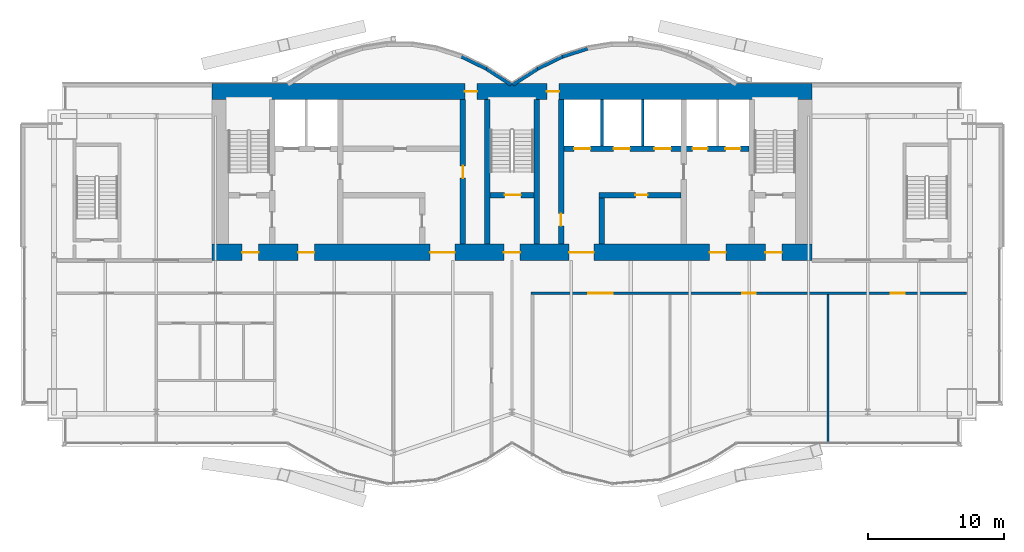
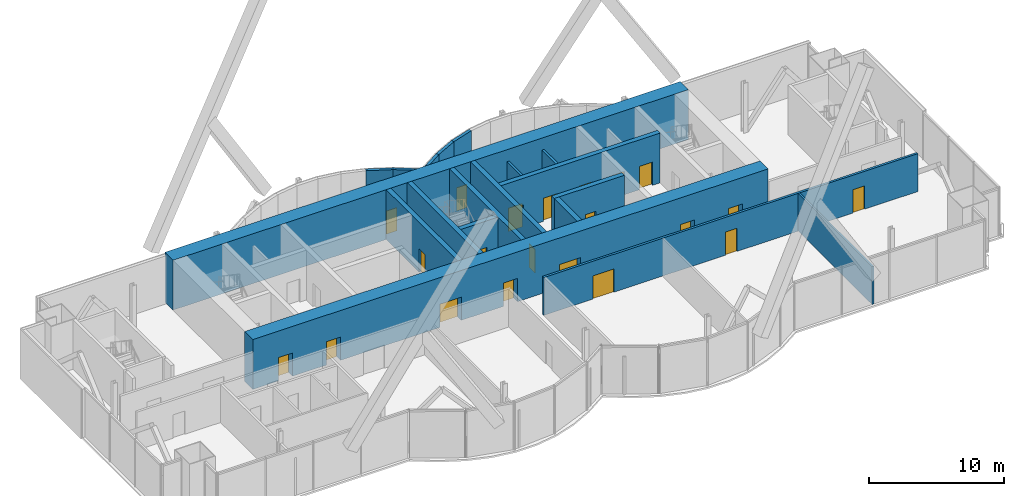
# One storey, part 15 of 20: 21 doors, 19 walls, 21 openings.
"""IFC4 building model written with IfcOpenShell, lengths in metres."""

from ifc_helpers import new_model, si_unit, direction, frame, frame_2d, origin, place, context, subcontext, project, spatial, rectangle, extrude, material, layer, layer_set, layer_usage, type_object, element, fill, save


model = new_model("IFC4")

# Units and contexts
model_context = context("Model", 3, precision=1e-05, world=origin(), true_north=direction((0.0, 1.0)))
body_context = subcontext(model_context, "Body", "Model", "MODEL_VIEW")
ifc_project = project(units=[si_unit("LENGTHUNIT", "METRE"), si_unit("AREAUNIT", "SQUARE_METRE"), si_unit("VOLUMEUNIT", "CUBIC_METRE"), si_unit("PLANEANGLEUNIT", "RADIAN"), si_unit("MASSUNIT", "GRAM", prefix="KILO")], contexts=[model_context])

# Site, building, storey
site_placement = place(None, origin())
site = spatial("IfcSite", under=ifc_project, at=site_placement, CompositionType="ELEMENT")
building_placement = place(site_placement, origin())
building = spatial("IfcBuilding", under=site, at=building_placement, Name="Bicima Exchange Tower", CompositionType="ELEMENT")
storey_placement = place(building_placement, frame((0.0, 0.0, 306.5)))
storey = spatial("IfcBuildingStorey", under=building, at=storey_placement, Name="L69", CompositionType="ELEMENT", Elevation=306.5)

# Walls
ifc_material_1 = material(Name="Gypsum board partition")
ifc_layer_1 = layer(ifc_material_1, 0.199951171875)
ifc_layer_set_1 = layer_set([ifc_layer_1], Name="Gypsum board partition")
wall_type_1 = type_object("IfcWallType", Name="Fire-rated gypsum partition 200 EI120", PredefinedType="PARTITIONING", material=ifc_layer_set_1)
for number, where, z_axis, x_axis, name in (
    (1, (6.60009765625, -4.60009765625, 0.0), (0.0, 0.0, 1.0), (0.0, 1.0, 0.0), "partition wall 17"),
    (2, (9.60009765625, -4.60009765625, 0.0), (0.0, 0.0, 1.0), (0.0, 1.0, 0.0), "partition wall 18"),
):
    element("IfcWall", number, at=place(storey_placement, frame(where, z_axis=z_axis, x_axis=x_axis)), inside=storey, type_object=wall_type_1, Name=name, PredefinedType="PARTITIONING", context=body_context, shape_type="SweptSolid", body=[
        extrude(rectangle(XDim=3.400146484375, YDim=0.199951171875, at=frame_2d((1.7001953125, 0.0))), origin(), (0.0, 0.0, 1.0), 3.418212890625),
    ])

# Wall, openings, doors
ifc_layer_2 = layer(ifc_material_1, 0.199951171875)
ifc_layer_set_2 = layer_set([ifc_layer_2], Name="Gypsum board partition")
wall_type_2 = type_object("IfcWallType", Name="Fire-rated gypsum partition 200 EI60", PredefinedType="PARTITIONING", material=ifc_layer_set_2)
wall_1_placement = place(storey_placement, frame((1.39990234375, -15.39990234375, 0.0), z_axis=(0.0, 0.0, 1.0), x_axis=(1.0, 0.0, 0.0)))
wall_1 = element("IfcWall", 3, at=wall_1_placement, inside=storey, type_object=wall_type_2, Name="partition wall 4", PredefinedType="PARTITIONING", context=body_context, shape_type="SweptSolid", body=[
    extrude(rectangle(XDim=31.940185546875, YDim=0.199951171875, at=frame_2d((15.97021484375, 0.0))), origin(), (0.0, 0.0, 1.0), 3.418212890625),
])
opening_1_placement = place(wall_1_placement, frame((4.199951171875, 0.0, 0.0)))
opening_1 = element("IfcOpeningElement", 4, at=opening_1_placement, cuts=wall_1, Name="Opening L69-014", PredefinedType="OPENING", context=body_context, shape_type="SweptSolid", body=[
    extrude(rectangle(XDim=1.800048828125, YDim=2.10009765625, at=frame_2d((0.89990234375, 1.050048828125))), frame((0.0, 0.11181640625, 0.0), z_axis=(0.0, -1.0, 0.0), x_axis=(1.0, 0.0, 0.0)), (0.0, 0.0, 1.0), 0.223876953125),
])
opening_2_placement = place(wall_1_placement, frame((15.5, 0.0, 0.0)))
opening_2 = element("IfcOpeningElement", 5, at=opening_2_placement, cuts=wall_1, Name="Opening L69-015", PredefinedType="OPENING", context=body_context, shape_type="SweptSolid", body=[
    extrude(rectangle(XDim=1.0, YDim=2.10009765625, at=frame_2d((0.5, 1.050048828125))), frame((0.0, 0.11181640625, 0.0), z_axis=(0.0, -1.0, 0.0), x_axis=(1.0, 0.0, 0.0)), (0.0, 0.0, 1.0), 0.223876953125),
])
opening_3_placement = place(wall_1_placement, frame((26.39990234375, 0.0, 0.0)))
opening_3 = element("IfcOpeningElement", 6, at=opening_3_placement, cuts=wall_1, Name="Opening L69-016", PredefinedType="OPENING", context=body_context, shape_type="SweptSolid", body=[
    extrude(rectangle(XDim=1.0, YDim=2.10009765625, at=frame_2d((0.5, 1.050048828125))), frame((0.0, 0.11181640625, 0.0), z_axis=(0.0, -1.0, 0.0), x_axis=(1.0, 0.0, 0.0)), (0.0, 0.0, 1.0), 0.223876953125),
])
ifc_material_2 = material(Name="Steel fire door leaf", Category="steel")
door_type_1 = type_object("IfcDoorType", Name="Door 1000 swing FD30S", OperationType="SINGLE_SWING_LEFT", PredefinedType="DOOR", material=ifc_material_2)
door_1_placement = place(opening_2_placement, frame((1.0, 0.0, 0.0), z_axis=(0.0, 0.0, 1.0), x_axis=(-1.0, 0.0, 0.0)))
door_1 = element("IfcDoor", 7, at=door_1_placement, inside=storey, type_object=door_type_1, Name="Door", OperationType="SINGLE_SWING_RIGHT", OverallHeight=2.10009765625, OverallWidth=1.0, PredefinedType="DOOR", context=body_context, shape_type="SweptSolid", body=[
    extrude(rectangle(XDim=1.0, YDim=2.10009765625, at=frame_2d((0.5, 1.050048828125))), frame((0.0, 0.02490234375, 0.0), z_axis=(0.0, -1.0, 0.0), x_axis=(1.0, 0.0, 0.0)), (0.0, 0.0, 1.0), 0.050048828125),
])
fill(opening_2, door_1)
door_2_placement = place(opening_3_placement, frame((1.0, 0.0, 0.0), z_axis=(0.0, 0.0, 1.0), x_axis=(-1.0, 0.0, 0.0)))
door_2 = element("IfcDoor", 8, at=door_2_placement, inside=storey, type_object=door_type_1, Name="Door", OperationType="SINGLE_SWING_LEFT", OverallHeight=2.10009765625, OverallWidth=1.0, PredefinedType="DOOR", context=body_context, shape_type="SweptSolid", body=[
    extrude(rectangle(XDim=1.0, YDim=2.10009765625, at=frame_2d((0.5, 1.050048828125))), frame((0.0, 0.02490234375, 0.0), z_axis=(0.0, -1.0, 0.0), x_axis=(1.0, 0.0, 0.0)), (0.0, 0.0, 1.0), 0.050048828125),
])
fill(opening_3, door_2)
door_type_2 = type_object("IfcDoorType", Name="Door 1800 double swing FD30S", OperationType="DOUBLE_DOOR_SINGLE_SWING", PredefinedType="DOOR", material=ifc_material_2)
door_3_placement = place(opening_1_placement, origin())
door_3 = element("IfcDoor", 9, at=door_3_placement, inside=storey, type_object=door_type_2, Name="Door", OperationType="SINGLE_SWING_LEFT", OverallHeight=2.10009765625, OverallWidth=1.800048828125, PredefinedType="DOOR", context=body_context, shape_type="SweptSolid", body=[
    extrude(rectangle(XDim=1.800048828125, YDim=2.10009765625, at=frame_2d((0.89990234375, 1.050048828125))), frame((0.0, 0.02490234375, 0.0), z_axis=(0.0, -1.0, 0.0), x_axis=(1.0, 0.0, 0.0)), (0.0, 0.0, 1.0), 0.050048828125),
])
fill(opening_1, door_3)

# Wall
ifc_layer_3 = layer(ifc_material_1, 0.14990234375)
ifc_layer_set_3 = layer_set([ifc_layer_3], Name="Gypsum board partition")
wall_type_3 = type_object("IfcWallType", Name="Gypsum partition 150", PredefinedType="PARTITIONING", material=ifc_layer_set_3)
wall_2_placement = place(storey_placement, frame((23.199951171875, -26.419921875, 0.0), z_axis=(0.0, 0.0, 1.0), x_axis=(0.0, 1.0, 0.0)))
element("IfcWall", 10, at=wall_2_placement, inside=storey, type_object=wall_type_3, Name="partition wall 23", PredefinedType="PARTITIONING", context=body_context, shape_type="SweptSolid", body=[
    extrude(rectangle(XDim=10.919921875, YDim=0.14990234375, at=frame_2d((5.4599609375, 0.0))), origin(), (0.0, 0.0, 1.0), 3.418212890625),
])

# Wall, openings, doors
ifc_material_3 = material(Name="Concrete C40/50", Category="concrete")
ifc_layer_4 = layer(ifc_material_3, 1.199951171875)
ifc_layer_set_4 = layer_set([ifc_layer_4], Name="Concrete C40/50")
wall_type_4 = type_object("IfcWallType", Name="RC core wall 1200 C40/50", PredefinedType="SHEAR", material=ifc_layer_set_4)
wall_3_placement = place(storey_placement, frame((-22.0, -0.60009765625, 0.0), z_axis=(0.0, 0.0, 1.0), x_axis=(1.0, 0.0, 0.0)))
wall_3 = element("IfcWall", 11, at=wall_3_placement, inside=storey, type_object=wall_type_4, Name="Core wall north", PredefinedType="SHEAR", context=body_context, shape_type="SweptSolid", body=[
    extrude(rectangle(XDim=44.0, YDim=1.199951171875, at=frame_2d((22.0, 0.0))), origin(), (0.0, 0.0, 1.0), 4.5),
])
opening_4_placement = place(wall_3_placement, frame((18.550048828125, 0.0, 0.0)))
opening_4 = element("IfcOpeningElement", 12, at=opening_4_placement, cuts=wall_3, Name="Opening L69-C15", PredefinedType="OPENING", context=body_context, shape_type="SweptSolid", body=[
    extrude(rectangle(XDim=0.89990234375, YDim=2.10009765625, at=frame_2d((0.449951171875, 1.050048828125))), frame((0.0, 0.61181640625, 0.0), z_axis=(0.0, -1.0, 0.0), x_axis=(1.0, 0.0, 0.0)), (0.0, 0.0, 1.0), 1.223876953125),
])
opening_5_placement = place(wall_3_placement, frame((24.550048828125, 0.0, 0.0)))
opening_5 = element("IfcOpeningElement", 13, at=opening_5_placement, cuts=wall_3, Name="Opening L69-C16", PredefinedType="OPENING", context=body_context, shape_type="SweptSolid", body=[
    extrude(rectangle(XDim=0.89990234375, YDim=2.10009765625, at=frame_2d((0.449951171875, 1.050048828125))), frame((0.0, 0.61181640625, 0.0), z_axis=(0.0, -1.0, 0.0), x_axis=(1.0, 0.0, 0.0)), (0.0, 0.0, 1.0), 1.223876953125),
])
door_type_3 = type_object("IfcDoorType", Name="Door 900 swing FD30S", OperationType="SINGLE_SWING_LEFT", PredefinedType="DOOR", material=ifc_material_2)
door_4_placement = place(opening_4_placement, origin())
door_4 = element("IfcDoor", 14, at=door_4_placement, inside=storey, type_object=door_type_3, Name="Core door", OperationType="SINGLE_SWING_LEFT", OverallHeight=2.10009765625, OverallWidth=0.89990234375, PredefinedType="DOOR", context=body_context, shape_type="SweptSolid", body=[
    extrude(rectangle(XDim=0.89990234375, YDim=2.10009765625, at=frame_2d((0.449951171875, 1.050048828125))), frame((0.0, 0.02490234375, 0.0), z_axis=(0.0, -1.0, 0.0), x_axis=(1.0, 0.0, 0.0)), (0.0, 0.0, 1.0), 0.050048828125),
])
fill(opening_4, door_4)
door_5_placement = place(opening_5_placement, origin())
door_5 = element("IfcDoor", 15, at=door_5_placement, inside=storey, type_object=door_type_3, Name="Core door", OperationType="SINGLE_SWING_LEFT", OverallHeight=2.10009765625, OverallWidth=0.89990234375, PredefinedType="DOOR", context=body_context, shape_type="SweptSolid", body=[
    extrude(rectangle(XDim=0.89990234375, YDim=2.10009765625, at=frame_2d((0.449951171875, 1.050048828125))), frame((0.0, 0.02490234375, 0.0), z_axis=(0.0, -1.0, 0.0), x_axis=(1.0, 0.0, 0.0)), (0.0, 0.0, 1.0), 0.050048828125),
])
fill(opening_5, door_5)

wall_4_placement = place(storey_placement, frame((-22.0, -12.39990234375, 0.0), z_axis=(0.0, 0.0, 1.0), x_axis=(1.0, 0.0, 0.0)))
wall_4 = element("IfcWall", 16, at=wall_4_placement, inside=storey, type_object=wall_type_4, Name="Core wall south", PredefinedType="SHEAR", context=body_context, shape_type="SweptSolid", body=[
    extrude(rectangle(XDim=44.0, YDim=1.199951171875, at=frame_2d((22.0, 0.0))), origin(), (0.0, 0.0, 1.0), 4.5),
])
opening_6_placement = place(wall_4_placement, frame((2.199951171875, 0.0, 0.0)))
opening_6 = element("IfcOpeningElement", 17, at=opening_6_placement, cuts=wall_4, Name="Opening L69-C17", PredefinedType="OPENING", context=body_context, shape_type="SweptSolid", body=[
    extrude(rectangle(XDim=1.199951171875, YDim=2.10009765625, at=frame_2d((0.60009765625, 1.050048828125))), frame((0.0, 0.61181640625, 0.0), z_axis=(0.0, -1.0, 0.0), x_axis=(1.0, 0.0, 0.0)), (0.0, 0.0, 1.0), 1.223876953125),
])
opening_7_placement = place(wall_4_placement, frame((21.39990234375, 0.0, 0.0)))
opening_7 = element("IfcOpeningElement", 18, at=opening_7_placement, cuts=wall_4, Name="Opening L69-C18", PredefinedType="OPENING", context=body_context, shape_type="SweptSolid", body=[
    extrude(rectangle(XDim=1.199951171875, YDim=2.10009765625, at=frame_2d((0.60009765625, 1.050048828125))), frame((0.0, 0.61181640625, 0.0), z_axis=(0.0, -1.0, 0.0), x_axis=(1.0, 0.0, 0.0)), (0.0, 0.0, 1.0), 1.223876953125),
])
opening_8_placement = place(wall_4_placement, frame((40.60009765625, 0.0, 0.0)))
opening_8 = element("IfcOpeningElement", 19, at=opening_8_placement, cuts=wall_4, Name="Opening L69-C19", PredefinedType="OPENING", context=body_context, shape_type="SweptSolid", body=[
    extrude(rectangle(XDim=1.199951171875, YDim=2.10009765625, at=frame_2d((0.60009765625, 1.050048828125))), frame((0.0, 0.61181640625, 0.0), z_axis=(0.0, -1.0, 0.0), x_axis=(1.0, 0.0, 0.0)), (0.0, 0.0, 1.0), 1.223876953125),
])
opening_9_placement = place(wall_4_placement, frame((16.0, 0.0, 0.0)))
opening_9 = element("IfcOpeningElement", 20, at=opening_9_placement, cuts=wall_4, Name="Opening L69-C20", PredefinedType="OPENING", context=body_context, shape_type="SweptSolid", body=[
    extrude(rectangle(XDim=1.800048828125, YDim=2.10009765625, at=frame_2d((0.89990234375, 1.050048828125))), frame((0.0, 0.61181640625, 0.0), z_axis=(0.0, -1.0, 0.0), x_axis=(1.0, 0.0, 0.0)), (0.0, 0.0, 1.0), 1.223876953125),
])
opening_10_placement = place(wall_4_placement, frame((6.300048828125, 0.0, 0.0)))
opening_10 = element("IfcOpeningElement", 21, at=opening_10_placement, cuts=wall_4, Name="Opening L69-C21", PredefinedType="OPENING", context=body_context, shape_type="SweptSolid", body=[
    extrude(rectangle(XDim=1.199951171875, YDim=2.10009765625, at=frame_2d((0.60009765625, 1.050048828125))), frame((0.0, 0.61181640625, 0.0), z_axis=(0.0, -1.0, 0.0), x_axis=(1.0, 0.0, 0.0)), (0.0, 0.0, 1.0), 1.223876953125),
])
opening_11_placement = place(wall_4_placement, frame((26.199951171875, 0.0, 0.0)))
opening_11 = element("IfcOpeningElement", 22, at=opening_11_placement, cuts=wall_4, Name="Opening L69-C22", PredefinedType="OPENING", context=body_context, shape_type="SweptSolid", body=[
    extrude(rectangle(XDim=1.800048828125, YDim=2.10009765625, at=frame_2d((0.89990234375, 1.050048828125))), frame((0.0, 0.61181640625, 0.0), z_axis=(0.0, -1.0, 0.0), x_axis=(1.0, 0.0, 0.0)), (0.0, 0.0, 1.0), 1.223876953125),
])
opening_12_placement = place(wall_4_placement, frame((36.5, 0.0, 0.0)))
opening_12 = element("IfcOpeningElement", 23, at=opening_12_placement, cuts=wall_4, Name="Opening L69-C23", PredefinedType="OPENING", context=body_context, shape_type="SweptSolid", body=[
    extrude(rectangle(XDim=1.199951171875, YDim=2.10009765625, at=frame_2d((0.60009765625, 1.050048828125))), frame((0.0, 0.61181640625, 0.0), z_axis=(0.0, -1.0, 0.0), x_axis=(1.0, 0.0, 0.0)), (0.0, 0.0, 1.0), 1.223876953125),
])
door_type_4 = type_object("IfcDoorType", Name="Door 1200 swing FD60S", OperationType="SINGLE_SWING_LEFT", PredefinedType="DOOR", material=ifc_material_2)
door_6_placement = place(opening_6_placement, frame((1.199951171875, 0.0, 0.0), z_axis=(0.0, 0.0, 1.0), x_axis=(-1.0, 0.0, 0.0)))
door_6 = element("IfcDoor", 24, at=door_6_placement, inside=storey, type_object=door_type_4, Name="Core door", OperationType="SINGLE_SWING_RIGHT", OverallHeight=2.10009765625, OverallWidth=1.199951171875, PredefinedType="DOOR", context=body_context, shape_type="SweptSolid", body=[
    extrude(rectangle(XDim=1.199951171875, YDim=2.10009765625, at=frame_2d((0.60009765625, 1.050048828125))), frame((0.0, 0.02490234375, 0.0), z_axis=(0.0, -1.0, 0.0), x_axis=(1.0, 0.0, 0.0)), (0.0, 0.0, 1.0), 0.050048828125),
])
fill(opening_6, door_6)
door_7_placement = place(opening_7_placement, frame((1.199951171875, 0.0, 0.0), z_axis=(0.0, 0.0, 1.0), x_axis=(-1.0, 0.0, 0.0)))
door_7 = element("IfcDoor", 25, at=door_7_placement, inside=storey, type_object=door_type_4, Name="Core door", OperationType="SINGLE_SWING_RIGHT", OverallHeight=2.10009765625, OverallWidth=1.199951171875, PredefinedType="DOOR", context=body_context, shape_type="SweptSolid", body=[
    extrude(rectangle(XDim=1.199951171875, YDim=2.10009765625, at=frame_2d((0.60009765625, 1.050048828125))), frame((0.0, 0.02490234375, 0.0), z_axis=(0.0, -1.0, 0.0), x_axis=(1.0, 0.0, 0.0)), (0.0, 0.0, 1.0), 0.050048828125),
])
fill(opening_7, door_7)
door_8_placement = place(opening_8_placement, frame((1.199951171875, 0.0, 0.0), z_axis=(0.0, 0.0, 1.0), x_axis=(-1.0, 0.0, 0.0)))
door_8 = element("IfcDoor", 26, at=door_8_placement, inside=storey, type_object=door_type_4, Name="Core door", OperationType="SINGLE_SWING_RIGHT", OverallHeight=2.10009765625, OverallWidth=1.199951171875, PredefinedType="DOOR", context=body_context, shape_type="SweptSolid", body=[
    extrude(rectangle(XDim=1.199951171875, YDim=2.10009765625, at=frame_2d((0.60009765625, 1.050048828125))), frame((0.0, 0.02490234375, 0.0), z_axis=(0.0, -1.0, 0.0), x_axis=(1.0, 0.0, 0.0)), (0.0, 0.0, 1.0), 0.050048828125),
])
fill(opening_8, door_8)
door_9_placement = place(opening_10_placement, frame((1.199951171875, 0.0, 0.0), z_axis=(0.0, 0.0, 1.0), x_axis=(-1.0, 0.0, 0.0)))
door_9 = element("IfcDoor", 27, at=door_9_placement, inside=storey, type_object=door_type_4, Name="Core door", OperationType="SINGLE_SWING_RIGHT", OverallHeight=2.10009765625, OverallWidth=1.199951171875, PredefinedType="DOOR", context=body_context, shape_type="SweptSolid", body=[
    extrude(rectangle(XDim=1.199951171875, YDim=2.10009765625, at=frame_2d((0.60009765625, 1.050048828125))), frame((0.0, 0.02490234375, 0.0), z_axis=(0.0, -1.0, 0.0), x_axis=(1.0, 0.0, 0.0)), (0.0, 0.0, 1.0), 0.050048828125),
])
fill(opening_10, door_9)
door_10_placement = place(opening_12_placement, frame((1.199951171875, 0.0, 0.0), z_axis=(0.0, 0.0, 1.0), x_axis=(-1.0, 0.0, 0.0)))
door_10 = element("IfcDoor", 28, at=door_10_placement, inside=storey, type_object=door_type_4, Name="Core door", OperationType="SINGLE_SWING_RIGHT", OverallHeight=2.10009765625, OverallWidth=1.199951171875, PredefinedType="DOOR", context=body_context, shape_type="SweptSolid", body=[
    extrude(rectangle(XDim=1.199951171875, YDim=2.10009765625, at=frame_2d((0.60009765625, 1.050048828125))), frame((0.0, 0.02490234375, 0.0), z_axis=(0.0, -1.0, 0.0), x_axis=(1.0, 0.0, 0.0)), (0.0, 0.0, 1.0), 0.050048828125),
])
fill(opening_12, door_10)
door_11_placement = place(opening_9_placement, origin())
door_11 = element("IfcDoor", 29, at=door_11_placement, inside=storey, type_object=door_type_2, Name="Core door", OperationType="SINGLE_SWING_LEFT", OverallHeight=2.10009765625, OverallWidth=1.800048828125, PredefinedType="DOOR", context=body_context, shape_type="SweptSolid", body=[
    extrude(rectangle(XDim=1.800048828125, YDim=2.10009765625, at=frame_2d((0.89990234375, 1.050048828125))), frame((0.0, 0.02490234375, 0.0), z_axis=(0.0, -1.0, 0.0), x_axis=(1.0, 0.0, 0.0)), (0.0, 0.0, 1.0), 0.050048828125),
])
fill(opening_9, door_11)
door_12_placement = place(opening_11_placement, origin())
door_12 = element("IfcDoor", 30, at=door_12_placement, inside=storey, type_object=door_type_2, Name="Core door", OperationType="SINGLE_SWING_LEFT", OverallHeight=2.10009765625, OverallWidth=1.800048828125, PredefinedType="DOOR", context=body_context, shape_type="SweptSolid", body=[
    extrude(rectangle(XDim=1.800048828125, YDim=2.10009765625, at=frame_2d((0.89990234375, 1.050048828125))), frame((0.0, 0.02490234375, 0.0), z_axis=(0.0, -1.0, 0.0), x_axis=(1.0, 0.0, 0.0)), (0.0, 0.0, 1.0), 0.050048828125),
])
fill(opening_11, door_12)

# Wall, opening, door
ifc_layer_5 = layer(ifc_material_3, 0.39990234375)
ifc_layer_set_5 = layer_set([ifc_layer_5], Name="Concrete C40/50")
wall_type_5 = type_object("IfcWallType", Name="RC core wall 400 C40/50", PredefinedType="SHEAR", material=ifc_layer_set_5)
wall_5_placement = place(storey_placement, frame((6.39990234375, -8.199951171875, 0.0), z_axis=(0.0, 0.0, 1.0), x_axis=(1.0, 0.0, 0.0)))
wall_5 = element("IfcWall", 31, at=wall_5_placement, inside=storey, type_object=wall_type_5, Name="shear wall 4", PredefinedType="SHEAR", context=body_context, shape_type="SweptSolid", body=[
    extrude(rectangle(XDim=6.0, YDim=0.39990234375, at=frame_2d((3.0, 0.0))), origin(), (0.0, 0.0, 1.0), 4.5),
])
opening_13_placement = place(wall_5_placement, frame((2.64990234375, 0.0, 0.0)))
opening_13 = element("IfcOpeningElement", 32, at=opening_13_placement, cuts=wall_5, Name="Opening L69-C14", PredefinedType="OPENING", context=body_context, shape_type="SweptSolid", body=[
    extrude(rectangle(XDim=0.89990234375, YDim=2.10009765625, at=frame_2d((0.449951171875, 1.050048828125))), frame((0.0, 0.2119140625, 0.0), z_axis=(0.0, -1.0, 0.0), x_axis=(1.0, 0.0, 0.0)), (0.0, 0.0, 1.0), 0.423828125),
])
door_13_placement = place(opening_13_placement, frame((0.89990234375, 0.0, 0.0), z_axis=(0.0, 0.0, 1.0), x_axis=(-1.0, 0.0, 0.0)))
door_13 = element("IfcDoor", 33, at=door_13_placement, inside=storey, type_object=door_type_3, Name="Core door", OperationType="SINGLE_SWING_LEFT", OverallHeight=2.10009765625, OverallWidth=0.89990234375, PredefinedType="DOOR", context=body_context, shape_type="SweptSolid", body=[
    extrude(rectangle(XDim=0.89990234375, YDim=2.10009765625, at=frame_2d((0.449951171875, 1.050048828125))), frame((0.0, 0.02490234375, 0.0), z_axis=(0.0, -1.0, 0.0), x_axis=(1.0, 0.0, 0.0)), (0.0, 0.0, 1.0), 0.050048828125),
])
fill(opening_13, door_13)

# Wall, openings, doors
wall_6_placement = place(storey_placement, frame((3.800048828125, -4.800048828125, 0.0), z_axis=(0.0, 0.0, 1.0), x_axis=(1.0, 0.0, 0.0)))
wall_6 = element("IfcWall", 34, at=wall_6_placement, inside=storey, type_object=wall_type_5, Name="shear wall 7", PredefinedType="SHEAR", context=body_context, shape_type="SweptSolid", body=[
    extrude(rectangle(XDim=13.599853515625, YDim=0.39990234375, at=frame_2d((6.7998046875, 0.0))), origin(), (0.0, 0.0, 1.0), 4.5),
])
opening_14_placement = place(wall_6_placement, frame((0.75, 0.0, 0.0)))
opening_14 = element("IfcOpeningElement", 35, at=opening_14_placement, cuts=wall_6, Name="Opening LD-HB1-L69", PredefinedType="OPENING", context=body_context, shape_type="SweptSolid", body=[
    extrude(rectangle(XDim=1.199951171875, YDim=2.10009765625, at=frame_2d((0.60009765625, 1.050048828125))), frame((0.0, 0.2119140625, 0.0), z_axis=(0.0, -1.0, 0.0), x_axis=(1.0, 0.0, 0.0)), (0.0, 0.0, 1.0), 0.423828125),
])
opening_15_placement = place(wall_6_placement, frame((3.64990234375, 0.0, 0.0)))
opening_15 = element("IfcOpeningElement", 36, at=opening_15_placement, cuts=wall_6, Name="Opening LD-HB2-L69", PredefinedType="OPENING", context=body_context, shape_type="SweptSolid", body=[
    extrude(rectangle(XDim=1.199951171875, YDim=2.10009765625, at=frame_2d((0.60009765625, 1.050048828125))), frame((0.0, 0.2119140625, 0.0), z_axis=(0.0, -1.0, 0.0), x_axis=(1.0, 0.0, 0.0)), (0.0, 0.0, 1.0), 0.423828125),
])
opening_16_placement = place(wall_6_placement, frame((6.64990234375, 0.0, 0.0)))
opening_16 = element("IfcOpeningElement", 37, at=opening_16_placement, cuts=wall_6, Name="Opening LD-HB3-L69", PredefinedType="OPENING", context=body_context, shape_type="SweptSolid", body=[
    extrude(rectangle(XDim=1.199951171875, YDim=2.10009765625, at=frame_2d((0.60009765625, 1.050048828125))), frame((0.0, 0.2119140625, 0.0), z_axis=(0.0, -1.0, 0.0), x_axis=(1.0, 0.0, 0.0)), (0.0, 0.0, 1.0), 0.423828125),
])
opening_17_placement = place(wall_6_placement, frame((9.449951171875, 0.0, 0.0)))
opening_17 = element("IfcOpeningElement", 38, at=opening_17_placement, cuts=wall_6, Name="Opening LD-FF2-L69", PredefinedType="OPENING", context=body_context, shape_type="SweptSolid", body=[
    extrude(rectangle(XDim=1.10009765625, YDim=2.10009765625, at=frame_2d((0.550048828125, 1.050048828125))), frame((0.0, 0.2119140625, 0.0), z_axis=(0.0, -1.0, 0.0), x_axis=(1.0, 0.0, 0.0)), (0.0, 0.0, 1.0), 0.423828125),
])
opening_18_placement = place(wall_6_placement, frame((11.85009765625, 0.0, 0.0)))
opening_18 = element("IfcOpeningElement", 39, at=opening_18_placement, cuts=wall_6, Name="Opening LD-SV1-L69", PredefinedType="OPENING", context=body_context, shape_type="SweptSolid", body=[
    extrude(rectangle(XDim=1.10009765625, YDim=2.10009765625, at=frame_2d((0.550048828125, 1.050048828125))), frame((0.0, 0.2119140625, 0.0), z_axis=(0.0, -1.0, 0.0), x_axis=(1.0, 0.0, 0.0)), (0.0, 0.0, 1.0), 0.423828125),
])
ifc_material_4 = material(Name="Stainless steel", Category="steel")
door_type_5 = type_object("IfcDoorType", Name="Lift landing door 1100 sliding", OperationType="DOUBLE_DOOR_SLIDING", PredefinedType="DOOR", material=ifc_material_4)
door_14_placement = place(opening_17_placement, origin())
door_14 = element("IfcDoor", 40, at=door_14_placement, inside=storey, type_object=door_type_5, Name="Lift landing door FF2", OperationType="DOUBLE_DOOR_SLIDING", OverallHeight=2.10009765625, OverallWidth=1.10009765625, PredefinedType="DOOR", context=body_context, shape_type="SweptSolid", body=[
    extrude(rectangle(XDim=1.10009765625, YDim=2.10009765625, at=frame_2d((0.550048828125, 1.050048828125))), frame((0.0, 0.02490234375, 0.0), z_axis=(0.0, -1.0, 0.0), x_axis=(1.0, 0.0, 0.0)), (0.0, 0.0, 1.0), 0.050048828125),
])
fill(opening_17, door_14)
door_15_placement = place(opening_18_placement, origin())
door_15 = element("IfcDoor", 41, at=door_15_placement, inside=storey, type_object=door_type_5, Name="Lift landing door SV1", OperationType="DOUBLE_DOOR_SLIDING", OverallHeight=2.10009765625, OverallWidth=1.10009765625, PredefinedType="DOOR", context=body_context, shape_type="SweptSolid", body=[
    extrude(rectangle(XDim=1.10009765625, YDim=2.10009765625, at=frame_2d((0.550048828125, 1.050048828125))), frame((0.0, 0.02490234375, 0.0), z_axis=(0.0, -1.0, 0.0), x_axis=(1.0, 0.0, 0.0)), (0.0, 0.0, 1.0), 0.050048828125),
])
fill(opening_18, door_15)
door_type_6 = type_object("IfcDoorType", Name="Lift landing door 1200 sliding", OperationType="DOUBLE_DOOR_SLIDING", PredefinedType="DOOR", material=ifc_material_4)
door_16_placement = place(opening_14_placement, origin())
door_16 = element("IfcDoor", 42, at=door_16_placement, inside=storey, type_object=door_type_6, Name="Lift landing door HB1", OperationType="DOUBLE_DOOR_SLIDING", OverallHeight=2.10009765625, OverallWidth=1.199951171875, PredefinedType="DOOR", context=body_context, shape_type="SweptSolid", body=[
    extrude(rectangle(XDim=1.199951171875, YDim=2.10009765625, at=frame_2d((0.60009765625, 1.050048828125))), frame((0.0, 0.02490234375, 0.0), z_axis=(0.0, -1.0, 0.0), x_axis=(1.0, 0.0, 0.0)), (0.0, 0.0, 1.0), 0.050048828125),
])
fill(opening_14, door_16)
door_17_placement = place(opening_15_placement, origin())
door_17 = element("IfcDoor", 43, at=door_17_placement, inside=storey, type_object=door_type_6, Name="Lift landing door HB2", OperationType="DOUBLE_DOOR_SLIDING", OverallHeight=2.10009765625, OverallWidth=1.199951171875, PredefinedType="DOOR", context=body_context, shape_type="SweptSolid", body=[
    extrude(rectangle(XDim=1.199951171875, YDim=2.10009765625, at=frame_2d((0.60009765625, 1.050048828125))), frame((0.0, 0.02490234375, 0.0), z_axis=(0.0, -1.0, 0.0), x_axis=(1.0, 0.0, 0.0)), (0.0, 0.0, 1.0), 0.050048828125),
])
fill(opening_15, door_17)
door_18_placement = place(opening_16_placement, origin())
door_18 = element("IfcDoor", 44, at=door_18_placement, inside=storey, type_object=door_type_6, Name="Lift landing door HB3", OperationType="DOUBLE_DOOR_SLIDING", OverallHeight=2.10009765625, OverallWidth=1.199951171875, PredefinedType="DOOR", context=body_context, shape_type="SweptSolid", body=[
    extrude(rectangle(XDim=1.199951171875, YDim=2.10009765625, at=frame_2d((0.60009765625, 1.050048828125))), frame((0.0, 0.02490234375, 0.0), z_axis=(0.0, -1.0, 0.0), x_axis=(1.0, 0.0, 0.0)), (0.0, 0.0, 1.0), 0.050048828125),
])
fill(opening_16, door_18)

# Wall, opening, door
wall_7_placement = place(storey_placement, frame((-3.60009765625, -11.800048828125, 0.0), z_axis=(0.0, 0.0, 1.0), x_axis=(0.0, 1.0, 0.0)))
wall_7 = element("IfcWall", 45, at=wall_7_placement, inside=storey, type_object=wall_type_5, Name="shear wall 12", PredefinedType="SHEAR", context=body_context, shape_type="SweptSolid", body=[
    extrude(rectangle(XDim=10.60009765625, YDim=0.39990234375, at=frame_2d((5.300048828125, 0.0))), origin(), (0.0, 0.0, 1.0), 4.5),
])
opening_19_placement = place(wall_7_placement, frame((4.85009765625, 0.0, 0.0)))
opening_19 = element("IfcOpeningElement", 46, at=opening_19_placement, cuts=wall_7, Name="Opening L69-C10", PredefinedType="OPENING", context=body_context, shape_type="SweptSolid", body=[
    extrude(rectangle(XDim=0.89990234375, YDim=2.10009765625, at=frame_2d((0.449951171875, 1.050048828125))), frame((0.0, 0.2119140625, 0.0), z_axis=(0.0, -1.0, 0.0), x_axis=(1.0, 0.0, 0.0)), (0.0, 0.0, 1.0), 0.423828125),
])
door_19_placement = place(opening_19_placement, frame((0.89990234375, 0.0, 0.0), z_axis=(0.0, 0.0, 1.0), x_axis=(-1.0, 0.0, 0.0)))
door_19 = element("IfcDoor", 47, at=door_19_placement, inside=storey, type_object=door_type_3, Name="Core door", OperationType="SINGLE_SWING_LEFT", OverallHeight=2.10009765625, OverallWidth=0.89990234375, PredefinedType="DOOR", context=body_context, shape_type="SweptSolid", body=[
    extrude(rectangle(XDim=0.89990234375, YDim=2.10009765625, at=frame_2d((0.449951171875, 1.050048828125))), frame((0.0, 0.02490234375, 0.0), z_axis=(0.0, -1.0, 0.0), x_axis=(1.0, 0.0, 0.0)), (0.0, 0.0, 1.0), 0.050048828125),
])
fill(opening_19, door_19)

wall_8_placement = place(storey_placement, frame((3.60009765625, -11.800048828125, 0.0), z_axis=(0.0, 0.0, 1.0), x_axis=(0.0, 1.0, 0.0)))
wall_8 = element("IfcWall", 48, at=wall_8_placement, inside=storey, type_object=wall_type_5, Name="shear wall 15", PredefinedType="SHEAR", context=body_context, shape_type="SweptSolid", body=[
    extrude(rectangle(XDim=10.60009765625, YDim=0.39990234375, at=frame_2d((5.300048828125, 0.0))), origin(), (0.0, 0.0, 1.0), 4.5),
])
opening_20_placement = place(wall_8_placement, frame((1.35009765625, 0.0, 0.0)))
opening_20 = element("IfcOpeningElement", 49, at=opening_20_placement, cuts=wall_8, Name="Opening L69-C11", PredefinedType="OPENING", context=body_context, shape_type="SweptSolid", body=[
    extrude(rectangle(XDim=0.89990234375, YDim=2.10009765625, at=frame_2d((0.449951171875, 1.050048828125))), frame((0.0, 0.2119140625, 0.0), z_axis=(0.0, -1.0, 0.0), x_axis=(1.0, 0.0, 0.0)), (0.0, 0.0, 1.0), 0.423828125),
])
door_20_placement = place(opening_20_placement, origin())
door_20 = element("IfcDoor", 50, at=door_20_placement, inside=storey, type_object=door_type_3, Name="Core door", OperationType="SINGLE_SWING_LEFT", OverallHeight=2.10009765625, OverallWidth=0.89990234375, PredefinedType="DOOR", context=body_context, shape_type="SweptSolid", body=[
    extrude(rectangle(XDim=0.89990234375, YDim=2.10009765625, at=frame_2d((0.449951171875, 1.050048828125))), frame((0.0, 0.02490234375, 0.0), z_axis=(0.0, -1.0, 0.0), x_axis=(1.0, 0.0, 0.0)), (0.0, 0.0, 1.0), 0.050048828125),
])
fill(opening_20, door_20)

# Wall
wall_9_placement = place(storey_placement, frame((6.60009765625, -11.800048828125, 0.0), z_axis=(0.0, 0.0, 1.0), x_axis=(0.0, 1.0, 0.0)))
element("IfcWall", 51, at=wall_9_placement, inside=storey, type_object=wall_type_5, Name="shear wall 16", PredefinedType="SHEAR", context=body_context, shape_type="SweptSolid", body=[
    extrude(rectangle(XDim=3.400146484375, YDim=0.39990234375, at=frame_2d((1.7001953125, 0.0))), origin(), (0.0, 0.0, 1.0), 4.5),
])

# Wall, opening, door
ifc_material_5 = material(Name="Concrete C50/60", Category="concrete")
ifc_layer_6 = layer(ifc_material_5, 0.39990234375)
ifc_layer_set_6 = layer_set([ifc_layer_6], Name="Concrete C50/60")
wall_type_6 = type_object("IfcWallType", Name="RC core wall 400 C50/60", PredefinedType="SHEAR", material=ifc_layer_set_6)
wall_10_placement = place(storey_placement, frame((-1.60009765625, -8.199951171875, 0.0), z_axis=(0.0, 0.0, 1.0), x_axis=(1.0, 0.0, 0.0)))
wall_10 = element("IfcWall", 52, at=wall_10_placement, inside=storey, type_object=wall_type_6, Name="stair wall 3", PredefinedType="SHEAR", context=body_context, shape_type="SweptSolid", body=[
    extrude(rectangle(XDim=3.2001953125, YDim=0.39990234375, at=frame_2d((1.60009765625, 0.0))), origin(), (0.0, 0.0, 1.0), 4.5),
])
opening_21_placement = place(wall_10_placement, frame((1.050048828125, 0.0, 0.0)))
opening_21 = element("IfcOpeningElement", 53, at=opening_21_placement, cuts=wall_10, Name="Opening L69-C03", PredefinedType="OPENING", context=body_context, shape_type="SweptSolid", body=[
    extrude(rectangle(XDim=1.199951171875, YDim=2.10009765625, at=frame_2d((0.60009765625, 1.050048828125))), frame((0.0, 0.2119140625, 0.0), z_axis=(0.0, -1.0, 0.0), x_axis=(1.0, 0.0, 0.0)), (0.0, 0.0, 1.0), 0.423828125),
])
door_21_placement = place(opening_21_placement, origin())
door_21 = element("IfcDoor", 54, at=door_21_placement, inside=storey, type_object=door_type_4, Name="Core door", OperationType="SINGLE_SWING_LEFT", OverallHeight=2.10009765625, OverallWidth=1.199951171875, PredefinedType="DOOR", context=body_context, shape_type="SweptSolid", body=[
    extrude(rectangle(XDim=1.199951171875, YDim=2.10009765625, at=frame_2d((0.60009765625, 1.050048828125))), frame((0.0, 0.02490234375, 0.0), z_axis=(0.0, -1.0, 0.0), x_axis=(1.0, 0.0, 0.0)), (0.0, 0.0, 1.0), 0.050048828125),
])
fill(opening_21, door_21)

# Walls
for number, where, z_axis, x_axis, name in (
    (55, (-1.800048828125, -11.800048828125, 0.0), (0.0, 0.0, 1.0), (0.0, 1.0, 0.0), "stair wall 13"),
    (56, (1.800048828125, -11.800048828125, 0.0), (0.0, 0.0, 1.0), (0.0, 1.0, 0.0), "stair wall 14"),
):
    element("IfcWall", number, at=place(storey_placement, frame(where, z_axis=z_axis, x_axis=x_axis)), inside=storey, type_object=wall_type_6, Name=name, PredefinedType="SHEAR", context=body_context, shape_type="SweptSolid", body=[
        extrude(rectangle(XDim=10.60009765625, YDim=0.39990234375, at=frame_2d((5.300048828125, 0.0))), origin(), (0.0, 0.0, 1.0), 4.5),
    ])
ifc_layer_7 = layer(ifc_material_3, 0.25)
ifc_layer_set_7 = layer_set([ifc_layer_7], Name="Concrete C40/50")
ifc_layer_usage = layer_usage(ifc_layer_set_7, "AXIS2", "POSITIVE", -0.125)
wall_type_7 = type_object("IfcWallType", Name="Rear backup wall 250", PredefinedType="STANDARD", material=ifc_layer_set_7)
wall_11_placement = place(storey_placement, frame((5.538330078125, 2.5478515625, 0.0), z_axis=(0.0, 0.0, 1.0), x_axis=(-0.951495806175, -0.307661714928, 0.0)))
element("IfcWall", 57, at=wall_11_placement, inside=storey, type_object=wall_type_7, material=ifc_layer_usage, Name="Rear backup wall L69 8", PredefinedType="STANDARD", context=body_context, shape_type="SweptSolid", body=[
    extrude(rectangle(XDim=1.9267578125, YDim=0.25, at=frame_2d((0.96337890625, 0.0))), origin(), (0.0, 0.0, 1.0), 4.35009765625),
])
wall_12_placement = place(storey_placement, frame((3.72119140625, 1.961669921875, 0.0), z_axis=(0.0, 0.0, 1.0), x_axis=(-0.89982408427, -0.436252928206, 0.0)))
element("IfcWall", 58, at=wall_12_placement, inside=storey, type_object=wall_type_7, material=ifc_layer_usage, Name="Rear backup wall L69 9", PredefinedType="STANDARD", context=body_context, shape_type="SweptSolid", body=[
    extrude(rectangle(XDim=2.03759765625, YDim=0.25, at=frame_2d((1.018798828125, 0.0))), origin(), (0.0, 0.0, 1.0), 4.35009765625),
])
for number, where, z_axis, x_axis, name in (
    (59, (1.901123046875, 1.080078125, 0.0), (0.0, 0.0, 1.0), (-0.83981312244, -0.542875602121, 0.0), "Rear backup wall L69 10"),
    (60, (-0.06787109375, -0.10498046875, 0.0), (0.0, 0.0, 1.0), (-0.83981312244, 0.542875602121, 0.0), "Rear backup wall L69 11"),
):
    element("IfcWall", number, at=place(storey_placement, frame(where, z_axis=z_axis, x_axis=x_axis)), inside=storey, type_object=wall_type_7, material=ifc_layer_usage, Name=name, PredefinedType="STANDARD", context=body_context, shape_type="SweptSolid", body=[
        extrude(rectangle(XDim=2.182861328125, YDim=0.25, at=frame_2d((1.09130859375, 0.0))), origin(), (0.0, 0.0, 1.0), 4.35009765625),
    ])
wall_13_placement = place(storey_placement, frame((-1.8876953125, 1.07275390625, 0.0), z_axis=(0.0, 0.0, 1.0), x_axis=(-0.89982408427, 0.436252928206, 0.0)))
element("IfcWall", 61, at=wall_13_placement, inside=storey, type_object=wall_type_7, material=ifc_layer_usage, Name="Rear backup wall L69 12", PredefinedType="STANDARD", context=body_context, shape_type="SweptSolid", body=[
    extrude(rectangle(XDim=2.03759765625, YDim=0.25, at=frame_2d((1.018798828125, 0.0))), origin(), (0.0, 0.0, 1.0), 4.35009765625),
])

save(model, "model.ifc")
